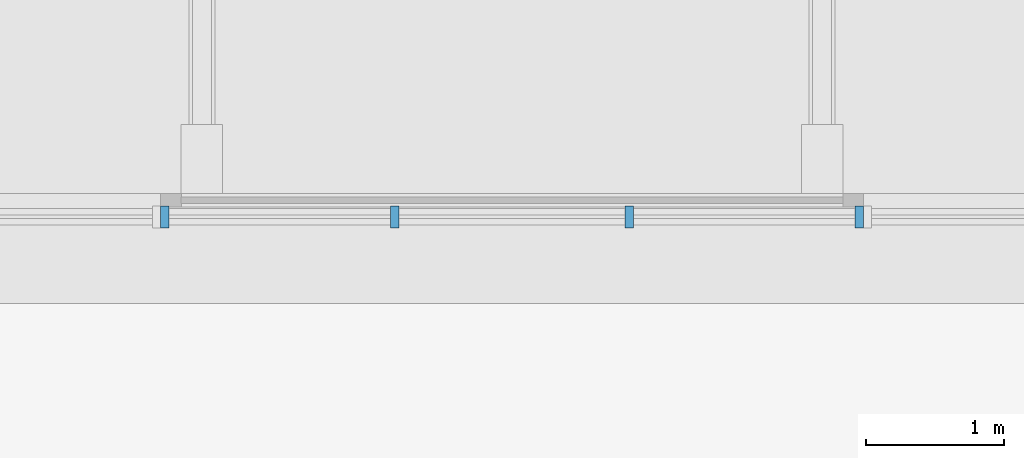
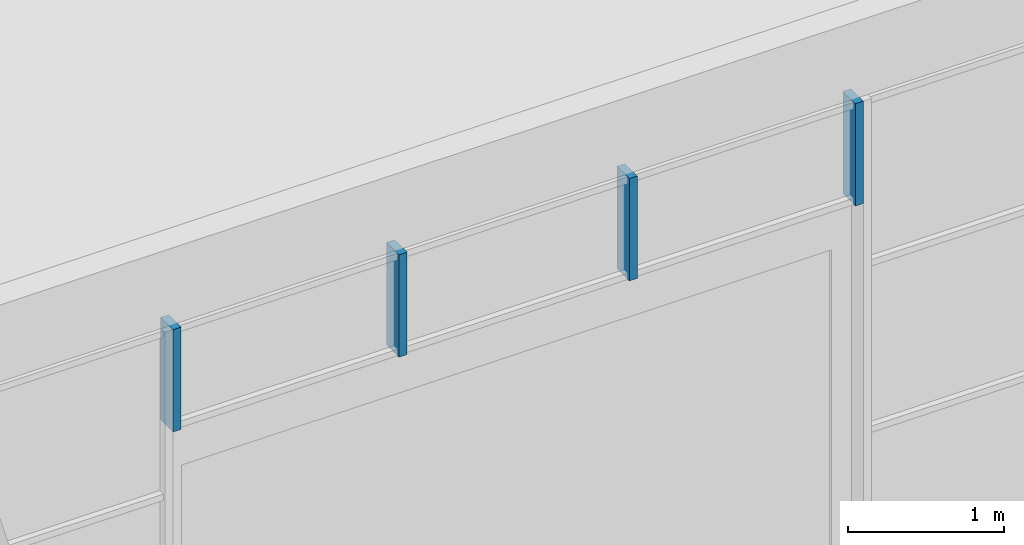
# One storey, part 73 of 168: 4 members, 1 element without a shape of its own.
"""IFC4 building model written with IfcOpenShell, lengths in metres."""

from ifc_helpers import new_model, si_unit, direction, frame, origin, origin_2d, place, context, subcontext, project, spatial, rectangle, extrude, material, material_profile, profile_set, type_object, element, aggregate, save


model = new_model("IFC4")

# Units and contexts
model_context = context("Model", 3, precision=1e-05, world=origin(), true_north=direction((0.0, 1.0)))
body_context = subcontext(model_context, "Body", "Model", "MODEL_VIEW")
ifc_project = project(units=[si_unit("LENGTHUNIT", "METRE"), si_unit("AREAUNIT", "SQUARE_METRE"), si_unit("VOLUMEUNIT", "CUBIC_METRE"), si_unit("PLANEANGLEUNIT", "RADIAN"), si_unit("MASSUNIT", "GRAM", prefix="KILO")], contexts=[model_context])

# Site, building, storey
site_placement = place(None, origin())
site = spatial("IfcSite", under=ifc_project, at=site_placement, CompositionType="ELEMENT")
building_placement = place(site_placement, origin())
building = spatial("IfcBuilding", under=site, at=building_placement, Name="Silverbay Arena", CompositionType="ELEMENT")
storey_placement = place(building_placement, frame((0.0, 0.0, 7.0)))
storey = spatial("IfcBuildingStorey", under=building, at=storey_placement, Name="L01", CompositionType="ELEMENT", Elevation=7.0)

# Curtain wall, members
ifc_material_1 = material(Name="Aluminium framed curtain wall", Category="aluminium")
curtain_wall_type = type_object("IfcCurtainWallType", Name="Curtain wall 5100 x 800", PredefinedType="NOTDEFINED", material=ifc_material_1)
curtain_wall_placement = place(storey_placement, origin())
curtain_wall = element("IfcCurtainWall", 1, at=curtain_wall_placement, inside=storey, type_object=curtain_wall_type, Name="North curtain wall L01 bay 18", PredefinedType="NOTDEFINED")
ifc_material_2 = material(Name="Aluminium", Category="aluminium")
ifc_material_profile = material_profile(ifc_material_2, rectangle(XDim=0.159912109375, YDim=0.06005859375, at=origin_2d()), Name="Mullion 60 x 160")
ifc_profile_set = profile_set([ifc_material_profile], Name="Aluminium")
member_type = type_object("IfcMemberType", Name="Mullion 60 x 160", PredefinedType="MULLION", material=ifc_profile_set)
member_1_placement = place(storey_placement, frame((187.02001953125, 144.330078125, 3.10009765625), z_axis=(0.0, 0.0, 1.0), x_axis=(0.0, -1.0, 0.0)))
member_1 = element("IfcMember", 2, at=member_1_placement, type_object=member_type, Name="CW3 mullion 1", PredefinedType="MULLION", context=body_context, shape_type="SweptSolid", body=[
    extrude(rectangle(XDim=0.159912109375, YDim=0.06005859375, at=origin_2d()), origin(), (0.0, 0.0, 1.0), 0.7998046875),
])
member_2_placement = place(storey_placement, frame((185.35009765625, 144.330078125, 3.10009765625), z_axis=(0.0, 0.0, 1.0), x_axis=(0.0, -1.0, 0.0)))
member_2 = element("IfcMember", 3, at=member_2_placement, type_object=member_type, Name="CW3 mullion 2", PredefinedType="MULLION", context=body_context, shape_type="SweptSolid", body=[
    extrude(rectangle(XDim=0.159912109375, YDim=0.06005859375, at=origin_2d()), origin(), (0.0, 0.0, 1.0), 0.7998046875),
])
member_3_placement = place(storey_placement, frame((183.64990234375, 144.330078125, 3.10009765625), z_axis=(0.0, 0.0, 1.0), x_axis=(0.0, -1.0, 0.0)))
member_3 = element("IfcMember", 4, at=member_3_placement, type_object=member_type, Name="CW3 mullion 3", PredefinedType="MULLION", context=body_context, shape_type="SweptSolid", body=[
    extrude(rectangle(XDim=0.159912109375, YDim=0.06005859375, at=origin_2d()), origin(), (0.0, 0.0, 1.0), 0.7998046875),
])
member_4_placement = place(storey_placement, frame((181.97998046875, 144.330078125, 3.10009765625), z_axis=(0.0, 0.0, 1.0), x_axis=(0.0, -1.0, 0.0)))
member_4 = element("IfcMember", 5, at=member_4_placement, type_object=member_type, Name="CW3 mullion 4", PredefinedType="MULLION", context=body_context, shape_type="SweptSolid", body=[
    extrude(rectangle(XDim=0.159912109375, YDim=0.06005859375, at=origin_2d()), origin(), (0.0, 0.0, 1.0), 0.7998046875),
])
aggregate(curtain_wall, [member_1, member_2, member_3, member_4])

save(model, "model.ifc")
